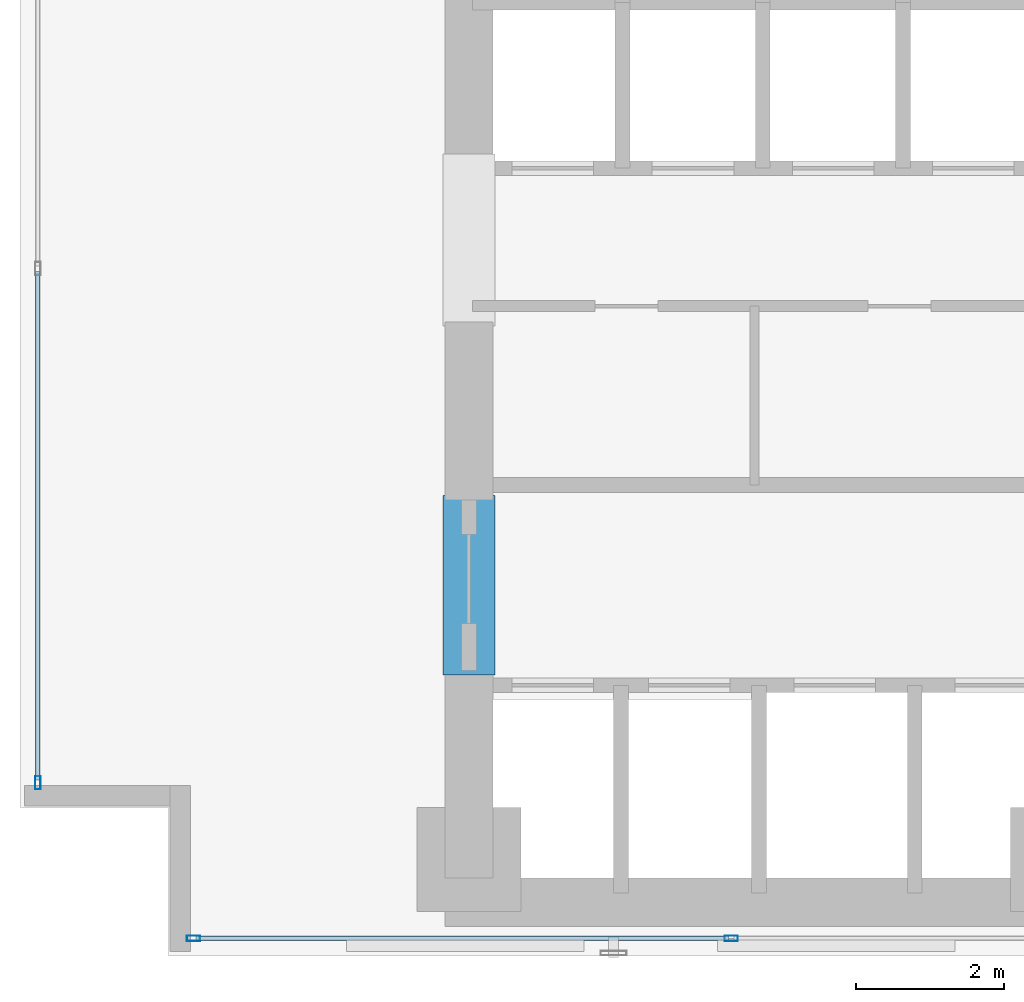
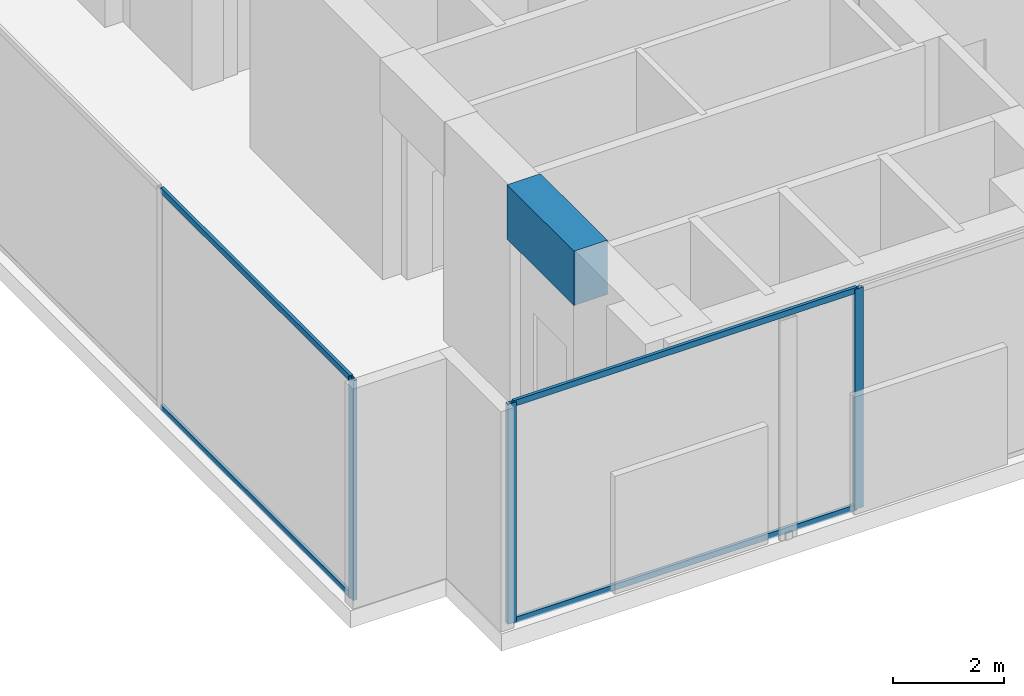
# One storey, part 2 of 37: 7 members, 1 beam, 2 elements without a shape of their own.
"""IFC4 building model written with IfcOpenShell, lengths in metres."""

from ifc_helpers import new_model, si_unit, direction, frame, origin, origin_with_axes, origin_2d, place, context, subcontext, project, spatial, rectangle, hollow_rectangle, extrude, source, transform, mapped, material, layer, layer_set, material_profile, profile_set, type_object, element, aggregate, save


model = new_model("IFC4")

# Units and contexts
model_context = context("Model", 3, precision=1e-05, world=origin(), true_north=direction((0.0, 1.0)))
body_context = subcontext(model_context, "Body", "Model", "MODEL_VIEW")
ifc_project = project(units=[si_unit("LENGTHUNIT", "METRE"), si_unit("AREAUNIT", "SQUARE_METRE"), si_unit("VOLUMEUNIT", "CUBIC_METRE"), si_unit("PLANEANGLEUNIT", "RADIAN"), si_unit("MASSUNIT", "GRAM", prefix="KILO")], contexts=[model_context])

# Site, building, storey
site_placement = place(None, origin())
site = spatial("IfcSite", under=ifc_project, at=site_placement, CompositionType="ELEMENT")
building_placement = place(site_placement, origin())
building = spatial("IfcBuilding", under=site, at=building_placement, Name="Kolvaren Waterfront Exchange", CompositionType="ELEMENT")
storey_placement = place(building_placement, frame((0.0, 0.0, 141.10009765625)))
storey = spatial("IfcBuildingStorey", under=building, at=storey_placement, Name="L36", CompositionType="ELEMENT", Elevation=141.10009765625)

# Beam
ifc_material_1 = material(Name="Concrete C70/85", Category="concrete")
ifc_material_profile_1 = material_profile(ifc_material_1, rectangle(XDim=0.699951171875, YDim=1.199951171875, at=origin_2d()), Name="RC-CB-1200x700")
ifc_profile_set_1 = profile_set([ifc_material_profile_1], Name="Concrete C70/85")
beam_type = type_object("IfcBeamType", Name="STR-CB-1200", PredefinedType="SPANDREL", material=ifc_profile_set_1)
beam_placement = place(storey_placement, frame((7.449951171875, 7.389892578125, 4.260009765625), z_axis=(0.0, 1.0, 0.0), x_axis=(-1.0, 0.0, 0.0)))
element("IfcBeam", 1, at=beam_placement, inside=storey, type_object=beam_type, Name="L36 core coupling beam 3", PredefinedType="SPANDREL", context=body_context, shape_type="SweptSolid", body=[
    extrude(rectangle(XDim=0.699951171875, YDim=1.199951171875, at=origin_2d()), origin(), (0.0, 0.0, 1.0), 2.420166015625),
])

# Curtain wall, members
ifc_material_2 = material(Name="Anodised dark bronze spandrel aluminium", Category="aluminium")
ifc_layer = layer(ifc_material_2, 0.219970703125, Name="Anodised dark bronze spandrel aluminium")
ifc_layer_set = layer_set([ifc_layer], Name="Anodised dark bronze spandrel aluminium")
curtain_wall_type = type_object("IfcCurtainWallType", Name="ARC-CW-SYS6", PredefinedType="USERDEFINED", material=ifc_layer_set)
curtain_wall_1_placement = place(storey_placement, origin())
curtain_wall_1 = element("IfcCurtainWall", 2, at=curtain_wall_1_placement, inside=storey, type_object=curtain_wall_type, Name="L36 stick curtain wall CW6 (CW-L36-S)", ObjectType="STICK CURTAIN WALL", PredefinedType="USERDEFINED")
ifc_material_3 = material(Name="Anodised bronze aluminium 6063-T6", Category="aluminium")
ifc_material_profile_2 = material_profile(ifc_material_3, hollow_rectangle(XDim=0.074951171875, YDim=0.179931640625, WallThickness=0.00439453125, at=origin_2d()), Name="ALU-MUL-180x75x4.5")
ifc_profile_set_2 = profile_set([ifc_material_profile_2], Name="Anodised bronze aluminium 6063-T6")
member_type_1 = type_object("IfcMemberType", Name="ARC-CWM-180", PredefinedType="MULLION", material=ifc_profile_set_2)
shared_shape_1 = source(origin_with_axes(), body_context, "Body", "SweptSolid", [
    extrude(hollow_rectangle(XDim=0.074951171875, YDim=0.179931640625, WallThickness=0.00439453125, at=origin_2d()), origin(), (0.0, 0.0, 1.0), 4.85986328125),
])
member_1_placement = place(storey_placement, frame((3.737548828125, 3.840087890625, 0.0), z_axis=(0.0, 0.0, 1.0), x_axis=(0.0, 1.0, 0.0)))
member_1 = element("IfcMember", 3, at=member_1_placement, type_object=member_type_1, Name="CW6 mullion 1", PredefinedType="MULLION", context=body_context, shape_type="MappedRepresentation", body=[
    mapped(shared_shape_1, transform((0.0, 0.0, 0.0), x_axis=(1.0, 0.0, 0.0), y_axis=(0.0, 1.0, 0.0), z_axis=(0.0, 0.0, 1.0), scale=1.0)),
])
member_2_placement = place(storey_placement, frame((10.985595703125, 3.840087890625, 0.0), z_axis=(0.0, 0.0, 1.0), x_axis=(0.0, 1.0, 0.0)))
member_2 = element("IfcMember", 4, at=member_2_placement, type_object=member_type_1, Name="CW6 mullion 2", PredefinedType="MULLION", context=body_context, shape_type="MappedRepresentation", body=[
    mapped(shared_shape_1, transform((0.0, 0.0, 0.0), x_axis=(1.0, 0.0, 0.0), y_axis=(0.0, 1.0, 0.0), z_axis=(0.0, 0.0, 1.0), scale=1.0)),
])

# Curtain wall, member
curtain_wall_2_placement = place(storey_placement, origin())
curtain_wall_2 = element("IfcCurtainWall", 5, at=curtain_wall_2_placement, inside=storey, type_object=curtain_wall_type, Name="L36 stick curtain wall CW6 (CW-L36-W)", ObjectType="STICK CURTAIN WALL", PredefinedType="USERDEFINED")
member_3_placement = place(storey_placement, frame((1.639892578125, 5.9375, 0.0), z_axis=(0.0, 0.0, 1.0), x_axis=(-1.0, 0.0, 0.0)))
member_3 = element("IfcMember", 6, at=member_3_placement, type_object=member_type_1, Name="CW6 mullion 1", PredefinedType="MULLION", context=body_context, shape_type="MappedRepresentation", body=[
    mapped(shared_shape_1, transform((0.0, 0.0, 0.0), x_axis=(1.0, 0.0, 0.0), y_axis=(0.0, 1.0, 0.0), z_axis=(0.0, 0.0, 1.0), scale=1.0)),
])

# Member
ifc_material_profile_3 = material_profile(ifc_material_3, hollow_rectangle(XDim=0.06494140625, YDim=0.1298828125, WallThickness=0.00390625, at=origin_2d()), Name="ALU-TRN-130x65x4")
ifc_profile_set_3 = profile_set([ifc_material_profile_3], Name="Anodised bronze aluminium 6063-T6")
member_type_2 = type_object("IfcMemberType", Name="ARC-CWT-130", PredefinedType="USERDEFINED", material=ifc_profile_set_3)
shared_shape_2 = source(origin_with_axes(), body_context, "Body", "SweptSolid", [
    extrude(hollow_rectangle(XDim=0.06494140625, YDim=0.1298828125, WallThickness=0.00390625, at=origin_2d()), origin(), (0.0, 0.0, 1.0), 7.17333984375),
])
member_4_placement = place(storey_placement, frame((3.77490234375, 3.840087890625, 0.032470703125), z_axis=(1.0, 0.0, 0.0), x_axis=(0.0, 1.0, 0.0)))
member_4 = element("IfcMember", 7, at=member_4_placement, type_object=member_type_2, Name="CW6 transom 1.1", ObjectType="TRANSOM", PredefinedType="USERDEFINED", context=body_context, shape_type="MappedRepresentation", body=[
    mapped(shared_shape_2, transform((0.0, 0.0, 0.0), x_axis=(1.0, 0.0, 0.0), y_axis=(0.0, 1.0, 0.0), z_axis=(0.0, 0.0, 1.0), scale=1.0)),
])

member_5_placement = place(storey_placement, frame((3.77490234375, 3.840087890625, 4.827392578125), z_axis=(1.0, 0.0, 0.0), x_axis=(0.0, 1.0, 0.0)))
member_5 = element("IfcMember", 8, at=member_5_placement, type_object=member_type_2, Name="CW6 transom 1.2", ObjectType="TRANSOM", PredefinedType="USERDEFINED", context=body_context, shape_type="MappedRepresentation", body=[
    mapped(shared_shape_2, transform((0.0, 0.0, 0.0), x_axis=(1.0, 0.0, 0.0), y_axis=(0.0, 1.0, 0.0), z_axis=(0.0, 0.0, 1.0), scale=1.0)),
])

aggregate(curtain_wall_1, [member_1, member_2, member_4, member_5])

shared_shape_3 = source(origin_with_axes(), body_context, "Body", "SweptSolid", [
    extrude(hollow_rectangle(XDim=0.06494140625, YDim=0.1298828125, WallThickness=0.00390625, at=origin_2d()), origin(), (0.0, 0.0, 1.0), 6.85400390625),
])
member_6_placement = place(storey_placement, frame((1.639892578125, 5.97509765625, 0.032470703125), z_axis=(0.0, 1.0, 0.0), x_axis=(-1.0, 0.0, 0.0)))
member_6 = element("IfcMember", 9, at=member_6_placement, type_object=member_type_2, Name="CW6 transom 1.1", ObjectType="TRANSOM", PredefinedType="USERDEFINED", context=body_context, shape_type="MappedRepresentation", body=[
    mapped(shared_shape_3, transform((0.0, 0.0, 0.0), x_axis=(1.0, 0.0, 0.0), y_axis=(0.0, 1.0, 0.0), z_axis=(0.0, 0.0, 1.0), scale=1.0)),
])

member_7_placement = place(storey_placement, frame((1.639892578125, 5.97509765625, 4.827392578125), z_axis=(0.0, 1.0, 0.0), x_axis=(-1.0, 0.0, 0.0)))
member_7 = element("IfcMember", 10, at=member_7_placement, type_object=member_type_2, Name="CW6 transom 1.2", ObjectType="TRANSOM", PredefinedType="USERDEFINED", context=body_context, shape_type="MappedRepresentation", body=[
    mapped(shared_shape_3, transform((0.0, 0.0, 0.0), x_axis=(1.0, 0.0, 0.0), y_axis=(0.0, 1.0, 0.0), z_axis=(0.0, 0.0, 1.0), scale=1.0)),
])

aggregate(curtain_wall_2, [member_3, member_6, member_7])

save(model, "model.ifc")
